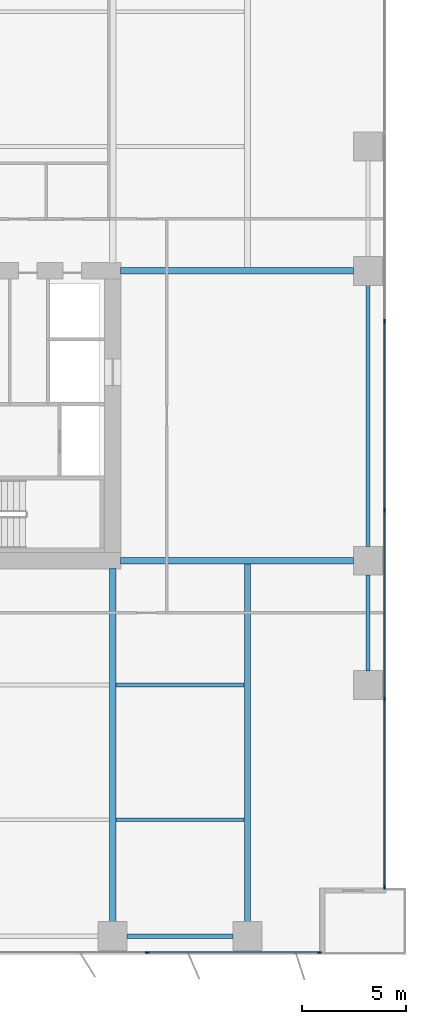
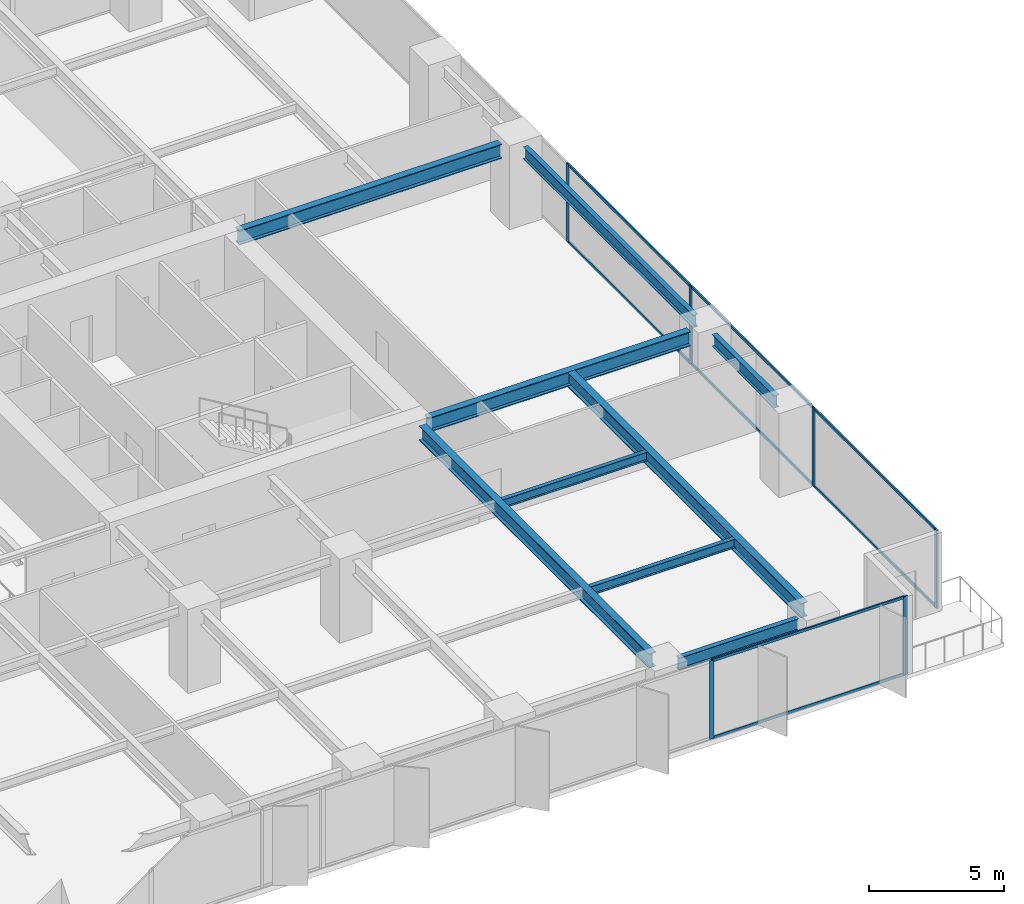
# One storey, part 10 of 20: 14 members, 9 beams, 2 elements without a shape of their own.
"""IFC4 building model written with IfcOpenShell, lengths in metres."""

from ifc_helpers import new_model, si_unit, direction, frame, origin, origin_2d, place, context, subcontext, project, spatial, rectangle, i_section, extrude, material, layer, layer_set, material_profile, profile_set, type_object, element, aggregate, save


model = new_model("IFC4")

# Units and contexts
model_context = context("Model", 3, precision=1e-05, world=origin(), true_north=direction((0.0, 1.0)))
body_context = subcontext(model_context, "Body", "Model", "MODEL_VIEW")
ifc_project = project(units=[si_unit("LENGTHUNIT", "METRE"), si_unit("AREAUNIT", "SQUARE_METRE"), si_unit("VOLUMEUNIT", "CUBIC_METRE"), si_unit("PLANEANGLEUNIT", "RADIAN"), si_unit("MASSUNIT", "GRAM", prefix="KILO")], contexts=[model_context])

# Site, building, storey
site_placement = place(None, origin())
site = spatial("IfcSite", under=ifc_project, at=site_placement, CompositionType="ELEMENT")
building_placement = place(site_placement, origin())
building = spatial("IfcBuilding", under=site, at=building_placement, Name="Putna Gate Headquarters", CompositionType="ELEMENT")
storey_placement = place(building_placement, frame((0.0, 0.0, 50.60009765625)))
storey = spatial("IfcBuildingStorey", under=building, at=storey_placement, Name="L11", CompositionType="ELEMENT", Elevation=50.60009765625)

# Beams
ifc_material_1 = material(Name="Steel S355J2", Category="steel")
ifc_material_profile_1 = material_profile(ifc_material_1, i_section(OverallWidth=0.300048828125, OverallDepth=0.64990234375, WebThickness=0.01611328125, FlangeThickness=0.031005859375, at=origin_2d()), Name="Steel S355J2")
ifc_profile_set_1 = profile_set([ifc_material_profile_1], Name="Steel S355J2")
beam_type_1 = type_object("IfcBeamType", Name="BM-GIRD-Z1-HEB650", PredefinedType="USERDEFINED", material=ifc_profile_set_1)
for number, where, z_axis, x_axis, name in (
    (1, (65.385009765625, 19.0, 3.224853515625), (1.0, 0.0, 0.0), (0.0, 1.0, 0.0), "L11 East Wing Girder Y19"),
    (2, (65.385009765625, 33.0, 3.224853515625), (1.0, 0.0, 0.0), (0.0, 1.0, 0.0), "L11 East Wing Girder Y33"),
):
    element("IfcBeam", number, at=place(storey_placement, frame(where, z_axis=z_axis, x_axis=x_axis)), inside=storey, type_object=beam_type_1, Name=name, ObjectType="GIRDER", PredefinedType="USERDEFINED", context=body_context, shape_type="SweptSolid", body=[
        extrude(i_section(OverallWidth=0.300048828125, OverallDepth=0.64990234375, WebThickness=0.01611328125, FlangeThickness=0.031005859375, at=origin_2d()), origin(), (0.0, 0.0, 1.0), 11.2470703125),
    ])
beam_1_placement = place(storey_placement, frame((65.0, 1.568115234375, 3.224853515625), z_axis=(0.0, 1.0, 0.0), x_axis=(-1.0, 0.0, 0.0)))
element("IfcBeam", 3, at=beam_1_placement, inside=storey, type_object=beam_type_1, Name="L11 South Primary Girder X65", ObjectType="GIRDER", PredefinedType="USERDEFINED", context=body_context, shape_type="SweptSolid", body=[
    extrude(i_section(OverallWidth=0.300048828125, OverallDepth=0.64990234375, WebThickness=0.01611328125, FlangeThickness=0.031005859375, at=origin_2d()), origin(), (0.0, 0.0, 1.0), 17.046875),
])
beam_2_placement = place(storey_placement, frame((71.5, 1.568115234375, 3.224853515625), z_axis=(0.0, 1.0, 0.0), x_axis=(-1.0, 0.0, 0.0)))
element("IfcBeam", 4, at=beam_2_placement, inside=storey, type_object=beam_type_1, Name="L11 South Primary Girder X71", ObjectType="GIRDER", PredefinedType="USERDEFINED", context=body_context, shape_type="SweptSolid", body=[
    extrude(i_section(OverallWidth=0.300048828125, OverallDepth=0.64990234375, WebThickness=0.01611328125, FlangeThickness=0.031005859375, at=origin_2d()), origin(), (0.0, 0.0, 1.0), 17.419921875),
])
ifc_material_profile_2 = material_profile(ifc_material_1, i_section(OverallWidth=0.179931640625, OverallDepth=0.39990234375, WebThickness=0.008544921875, FlangeThickness=0.013427734375, at=origin_2d()), Name="Steel S355J2")
ifc_profile_set_2 = profile_set([ifc_material_profile_2], Name="Steel S355J2")
beam_type_2 = type_object("IfcBeamType", Name="BM-SEC-Z1-IPE400", PredefinedType="BEAM", material=ifc_profile_set_2)
for number, where, z_axis, x_axis, name in (
    (5, (65.154052734375, 6.5, 3.349853515625), (1.0, 0.0, 0.0), (0.0, 1.0, 0.0), "L11 South Secondary Beam 10"),
    (6, (65.154052734375, 13.0, 3.349853515625), (1.0, 0.0, 0.0), (0.0, 1.0, 0.0), "L11 South Secondary Beam 10"),
):
    element("IfcBeam", number, at=place(storey_placement, frame(where, z_axis=z_axis, x_axis=x_axis)), inside=storey, type_object=beam_type_2, Name=name, PredefinedType="BEAM", context=body_context, shape_type="SweptSolid", body=[
        extrude(i_section(OverallWidth=0.179931640625, OverallDepth=0.39990234375, WebThickness=0.008544921875, FlangeThickness=0.013427734375, at=origin_2d()), origin(), (0.0, 0.0, 1.0), 6.19189453125),
    ])
ifc_material_profile_3 = material_profile(ifc_material_1, i_section(OverallWidth=0.2099609375, OverallDepth=0.550048828125, WebThickness=0.010986328125, FlangeThickness=0.01708984375, at=origin_2d()), Name="Steel S355J2")
ifc_profile_set_3 = profile_set([ifc_material_profile_3], Name="Steel S355J2")
beam_type_3 = type_object("IfcBeamType", Name="BM-SPAN-Z1-IPE550", PredefinedType="SPANDREL", material=ifc_profile_set_3)
beam_3_placement = place(storey_placement, frame((65.68798828125, 0.8798828125, 3.27490234375), z_axis=(1.0, 0.0, 0.0), x_axis=(0.0, 1.0, 0.0)))
element("IfcBeam", 7, at=beam_3_placement, inside=storey, type_object=beam_type_3, Name="L11 S Perimeter Spandrel 10", PredefinedType="SPANDREL", context=body_context, shape_type="SweptSolid", body=[
    extrude(i_section(OverallWidth=0.2099609375, OverallDepth=0.550048828125, WebThickness=0.010986328125, FlangeThickness=0.01708984375, at=origin_2d()), origin(), (0.0, 0.0, 1.0), 5.1240234375),
])
beam_4_placement = place(storey_placement, frame((77.320068359375, 13.68798828125, 3.27490234375), z_axis=(0.0, 1.0, 0.0), x_axis=(-1.0, 0.0, 0.0)))
element("IfcBeam", 8, at=beam_4_placement, inside=storey, type_object=beam_type_3, Name="L11 E End Spandrel 1", PredefinedType="SPANDREL", context=body_context, shape_type="SweptSolid", body=[
    extrude(i_section(OverallWidth=0.2099609375, OverallDepth=0.550048828125, WebThickness=0.010986328125, FlangeThickness=0.01708984375, at=origin_2d()), origin(), (0.0, 0.0, 1.0), 4.6240234375),
])
beam_5_placement = place(storey_placement, frame((77.320068359375, 19.68798828125, 3.27490234375), z_axis=(0.0, 1.0, 0.0), x_axis=(-1.0, 0.0, 0.0)))
element("IfcBeam", 9, at=beam_5_placement, inside=storey, type_object=beam_type_3, Name="L11 E End Spandrel 2", PredefinedType="SPANDREL", context=body_context, shape_type="SweptSolid", body=[
    extrude(i_section(OverallWidth=0.2099609375, OverallDepth=0.550048828125, WebThickness=0.010986328125, FlangeThickness=0.01708984375, at=origin_2d()), origin(), (0.0, 0.0, 1.0), 12.6240234375),
])

# Curtain wall, members
ifc_material_2 = material(Name="Anodised bronze aluminium curtain wall", Category="aluminium")
ifc_layer = layer(ifc_material_2, 0.179931640625)
ifc_layer_set = layer_set([ifc_layer], Name="Anodised bronze aluminium curtain wall")
curtain_wall_type = type_object("IfcCurtainWallType", Name="CW-SYS-Z1", PredefinedType="USERDEFINED", material=ifc_layer_set)
curtain_wall_1_placement = place(storey_placement, origin())
curtain_wall_1 = element("IfcCurtainWall", 10, at=curtain_wall_1_placement, inside=storey, type_object=curtain_wall_type, Name="L11 South East Curtain Wall", ObjectType="STICK CURTAIN WALL", PredefinedType="USERDEFINED")
ifc_material_3 = material(Name="Anodised bronze aluminium EN AW-6060", Category="aluminium")
ifc_material_profile_4 = material_profile(ifc_material_3, rectangle(XDim=0.070068359375, YDim=0.179931640625, at=origin_2d()), Name="Anodised bronze aluminium EN AW-6060")
ifc_profile_set_4 = profile_set([ifc_material_profile_4], Name="Anodised bronze aluminium EN AW-6060")
member_type_1 = type_object("IfcMemberType", Name="MULL-CWM-1", PredefinedType="MULLION", material=ifc_profile_set_4)
member_1_placement = place(storey_placement, frame((66.666748046875, 0.080078125, 0.0), z_axis=(0.0, 0.0, 1.0), x_axis=(0.0, 1.0, 0.0)))
member_1 = element("IfcMember", 11, at=member_1_placement, type_object=member_type_1, Name="CWS-1 mullion 3", PredefinedType="MULLION", context=body_context, shape_type="SweptSolid", body=[
    extrude(rectangle(XDim=0.070068359375, YDim=0.179931640625, at=origin_2d()), origin(), (0.0, 0.0, 1.0), 3.5498046875),
])
member_2_placement = place(storey_placement, frame((74.965087890625, 0.080078125, 0.0), z_axis=(0.0, 0.0, 1.0), x_axis=(0.0, 1.0, 0.0)))
member_2 = element("IfcMember", 12, at=member_2_placement, type_object=member_type_1, Name="CWS-1 mullion 4", PredefinedType="MULLION", context=body_context, shape_type="SweptSolid", body=[
    extrude(rectangle(XDim=0.070068359375, YDim=0.179931640625, at=origin_2d()), origin(), (0.0, 0.0, 1.0), 3.5498046875),
])

curtain_wall_2_placement = place(storey_placement, origin())
curtain_wall_2 = element("IfcCurtainWall", 13, at=curtain_wall_2_placement, inside=storey, type_object=curtain_wall_type, Name="L11 East Curtain Wall", ObjectType="STICK CURTAIN WALL", PredefinedType="USERDEFINED")
member_3_placement = place(storey_placement, frame((78.1201171875, 3.235107421875, 0.0), z_axis=(0.0, 0.0, 1.0), x_axis=(-1.0, 0.0, 0.0)))
member_3 = element("IfcMember", 14, at=member_3_placement, type_object=member_type_1, Name="CWS-1 mullion 1", PredefinedType="MULLION", context=body_context, shape_type="SweptSolid", body=[
    extrude(rectangle(XDim=0.070068359375, YDim=0.179931640625, at=origin_2d()), origin(), (0.0, 0.0, 1.0), 3.5498046875),
])
member_4_placement = place(storey_placement, frame((78.1201171875, 12.320068359375, 0.0), z_axis=(0.0, 0.0, 1.0), x_axis=(-1.0, 0.0, 0.0)))
member_4 = element("IfcMember", 15, at=member_4_placement, type_object=member_type_1, Name="CWS-1 mullion 2", PredefinedType="MULLION", context=body_context, shape_type="SweptSolid", body=[
    extrude(rectangle(XDim=0.070068359375, YDim=0.179931640625, at=origin_2d()), origin(), (0.0, 0.0, 1.0), 3.5498046875),
])
member_5_placement = place(storey_placement, frame((78.1201171875, 21.43994140625, 0.0), z_axis=(0.0, 0.0, 1.0), x_axis=(-1.0, 0.0, 0.0)))
member_5 = element("IfcMember", 16, at=member_5_placement, type_object=member_type_1, Name="CWS-1 mullion 3", PredefinedType="MULLION", context=body_context, shape_type="SweptSolid", body=[
    extrude(rectangle(XDim=0.070068359375, YDim=0.179931640625, at=origin_2d()), origin(), (0.0, 0.0, 1.0), 3.5498046875),
])
member_6_placement = place(storey_placement, frame((78.1201171875, 30.56005859375, 0.0), z_axis=(0.0, 0.0, 1.0), x_axis=(-1.0, 0.0, 0.0)))
member_6 = element("IfcMember", 17, at=member_6_placement, type_object=member_type_1, Name="CWS-1 mullion 4", PredefinedType="MULLION", context=body_context, shape_type="SweptSolid", body=[
    extrude(rectangle(XDim=0.070068359375, YDim=0.179931640625, at=origin_2d()), origin(), (0.0, 0.0, 1.0), 3.5498046875),
])

# Member
ifc_material_profile_5 = material_profile(ifc_material_3, rectangle(XDim=0.06494140625, YDim=0.1201171875, at=origin_2d()), Name="Anodised bronze aluminium EN AW-6060")
ifc_profile_set_5 = profile_set([ifc_material_profile_5], Name="Anodised bronze aluminium EN AW-6060")
member_type_2 = type_object("IfcMemberType", Name="TRAN-CWT-1", PredefinedType="USERDEFINED", material=ifc_profile_set_5)
member_7_placement = place(storey_placement, frame((66.70166015625, 0.080078125, 0.032470703125), z_axis=(1.0, 0.0, 0.0), x_axis=(0.0, 1.0, 0.0)))
member_7 = element("IfcMember", 18, at=member_7_placement, type_object=member_type_2, Name="CWS-1 transom 3.1", ObjectType="TRANSOM", PredefinedType="USERDEFINED", context=body_context, shape_type="SweptSolid", body=[
    extrude(rectangle(XDim=0.06494140625, YDim=0.1201171875, at=origin_2d()), origin(), (0.0, 0.0, 1.0), 8.228271484375),
])

member_8_placement = place(storey_placement, frame((66.70166015625, 0.080078125, 3.517333984375), z_axis=(1.0, 0.0, 0.0), x_axis=(0.0, 1.0, 0.0)))
member_8 = element("IfcMember", 19, at=member_8_placement, type_object=member_type_2, Name="CWS-1 transom 3.2", ObjectType="TRANSOM", PredefinedType="USERDEFINED", context=body_context, shape_type="SweptSolid", body=[
    extrude(rectangle(XDim=0.06494140625, YDim=0.1201171875, at=origin_2d()), origin(), (0.0, 0.0, 1.0), 8.228271484375),
])

aggregate(curtain_wall_1, [member_1, member_2, member_7, member_8])

member_9_placement = place(storey_placement, frame((78.1201171875, 3.27001953125, 0.032470703125), z_axis=(0.0, 1.0, 0.0), x_axis=(-1.0, 0.0, 0.0)))
member_9 = element("IfcMember", 20, at=member_9_placement, type_object=member_type_2, Name="CWS-1 transom 1.1", ObjectType="TRANSOM", PredefinedType="USERDEFINED", context=body_context, shape_type="SweptSolid", body=[
    extrude(rectangle(XDim=0.06494140625, YDim=0.1201171875, at=origin_2d()), origin(), (0.0, 0.0, 1.0), 9.014892578125),
])

member_10_placement = place(storey_placement, frame((78.1201171875, 3.27001953125, 3.517333984375), z_axis=(0.0, 1.0, 0.0), x_axis=(-1.0, 0.0, 0.0)))
member_10 = element("IfcMember", 21, at=member_10_placement, type_object=member_type_2, Name="CWS-1 transom 1.2", ObjectType="TRANSOM", PredefinedType="USERDEFINED", context=body_context, shape_type="SweptSolid", body=[
    extrude(rectangle(XDim=0.06494140625, YDim=0.1201171875, at=origin_2d()), origin(), (0.0, 0.0, 1.0), 9.014892578125),
])

member_11_placement = place(storey_placement, frame((78.1201171875, 12.35498046875, 0.032470703125), z_axis=(0.0, 1.0, 0.0), x_axis=(-1.0, 0.0, 0.0)))
member_11 = element("IfcMember", 22, at=member_11_placement, type_object=member_type_2, Name="CWS-1 transom 2.1", ObjectType="TRANSOM", PredefinedType="USERDEFINED", context=body_context, shape_type="SweptSolid", body=[
    extrude(rectangle(XDim=0.06494140625, YDim=0.1201171875, at=origin_2d()), origin(), (0.0, 0.0, 1.0), 9.050048828125),
])

member_12_placement = place(storey_placement, frame((78.1201171875, 12.35498046875, 3.517333984375), z_axis=(0.0, 1.0, 0.0), x_axis=(-1.0, 0.0, 0.0)))
member_12 = element("IfcMember", 23, at=member_12_placement, type_object=member_type_2, Name="CWS-1 transom 2.2", ObjectType="TRANSOM", PredefinedType="USERDEFINED", context=body_context, shape_type="SweptSolid", body=[
    extrude(rectangle(XDim=0.06494140625, YDim=0.1201171875, at=origin_2d()), origin(), (0.0, 0.0, 1.0), 9.050048828125),
])

member_13_placement = place(storey_placement, frame((78.1201171875, 21.47509765625, 0.032470703125), z_axis=(0.0, 1.0, 0.0), x_axis=(-1.0, 0.0, 0.0)))
member_13 = element("IfcMember", 24, at=member_13_placement, type_object=member_type_2, Name="CWS-1 transom 3.1", ObjectType="TRANSOM", PredefinedType="USERDEFINED", context=body_context, shape_type="SweptSolid", body=[
    extrude(rectangle(XDim=0.06494140625, YDim=0.1201171875, at=origin_2d()), origin(), (0.0, 0.0, 1.0), 9.0498046875),
])

member_14_placement = place(storey_placement, frame((78.1201171875, 21.47509765625, 3.517333984375), z_axis=(0.0, 1.0, 0.0), x_axis=(-1.0, 0.0, 0.0)))
member_14 = element("IfcMember", 25, at=member_14_placement, type_object=member_type_2, Name="CWS-1 transom 3.2", ObjectType="TRANSOM", PredefinedType="USERDEFINED", context=body_context, shape_type="SweptSolid", body=[
    extrude(rectangle(XDim=0.06494140625, YDim=0.1201171875, at=origin_2d()), origin(), (0.0, 0.0, 1.0), 9.0498046875),
])

aggregate(curtain_wall_2, [member_3, member_4, member_5, member_6, member_9, member_10, member_11, member_12, member_13, member_14])

save(model, "model.ifc")
